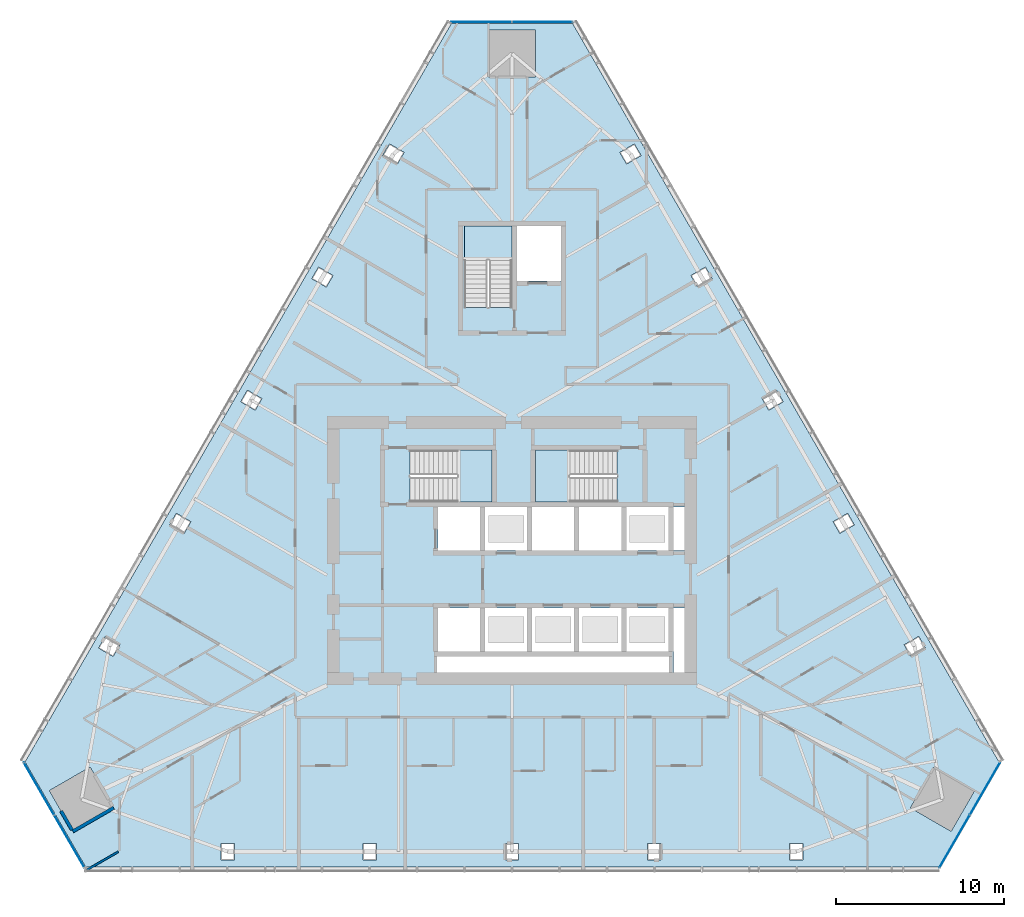
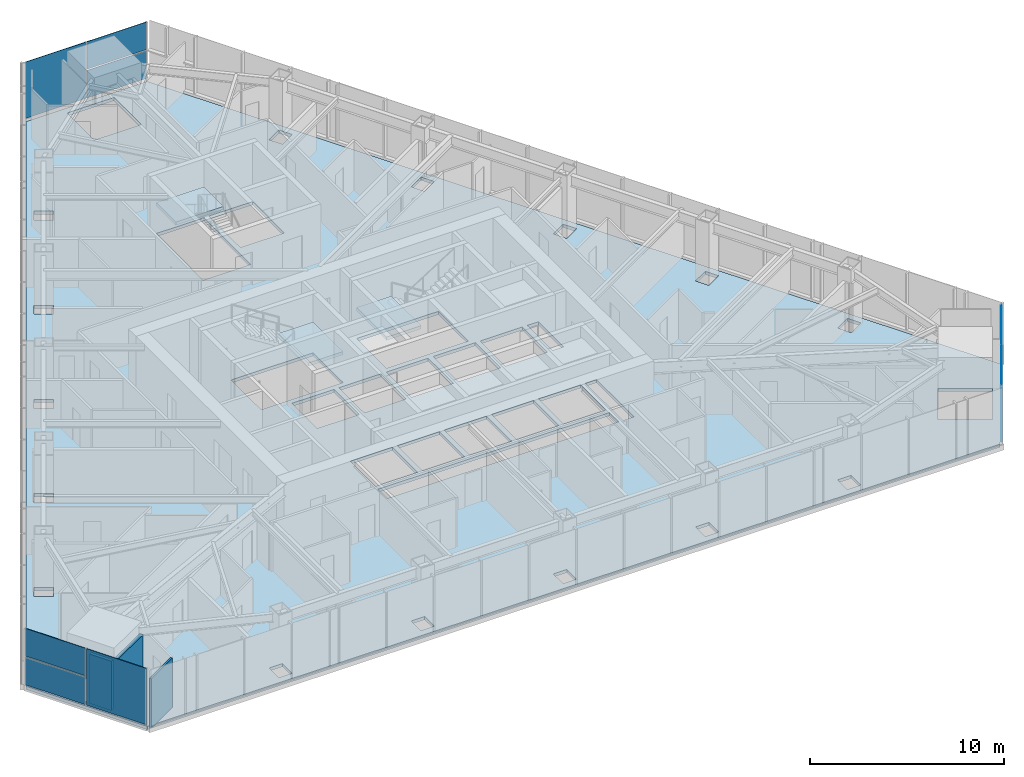
# One storey, part 12 of 20: 9 plates, 4 slabs, 3 walls, 6 elements without a shape of their own.
"""IFC4 building model written with IfcOpenShell, lengths in metres."""

from ifc_helpers import new_model, si_unit, direction, frame, frame_2d, origin, place, context, subcontext, project, spatial, polyline, rectangle, outline, extrude, material, layer, layer_set, type_object, element, aggregate, save


model = new_model("IFC4")

# Units and contexts
model_context = context("Model", 3, precision=1e-05, world=origin(), true_north=direction((0.0, 1.0)))
body_context = subcontext(model_context, "Body", "Model", "MODEL_VIEW")
ifc_project = project(units=[si_unit("LENGTHUNIT", "METRE"), si_unit("AREAUNIT", "SQUARE_METRE"), si_unit("VOLUMEUNIT", "CUBIC_METRE"), si_unit("PLANEANGLEUNIT", "RADIAN"), si_unit("MASSUNIT", "GRAM", prefix="KILO")], contexts=[model_context])

# Site, building, storey
site_placement = place(None, origin())
site = spatial("IfcSite", under=ifc_project, at=site_placement, CompositionType="ELEMENT")
building_placement = place(site_placement, origin())
building = spatial("IfcBuilding", under=site, at=building_placement, Name="Firuza Gate Tower and Library", CompositionType="ELEMENT")
storey_placement = place(building_placement, frame((0.0, 0.0, 214.300048828125)))
storey = spatial("IfcBuildingStorey", under=building, at=storey_placement, Name="L50", CompositionType="ELEMENT", Elevation=214.300048828125)

# Slab
ifc_material_1 = material(Name="Concrete C40/50", Category="concrete")
ifc_layer_1 = layer(ifc_material_1, 0.199951171875)
ifc_layer_set_1 = layer_set([ifc_layer_1], Name="Composite floor slab 200 C40/50")
slab_type_1 = type_object("IfcSlabType", Name="Composite floor slab 200 C40/50", PredefinedType="FLOOR", material=ifc_layer_set_1)
slab_1_placement = place(storey_placement, frame((0.0, 0.0, -0.199951171875)))
element("IfcSlab", 1, at=slab_1_placement, inside=storey, type_object=slab_type_1, Name="Floor slab L50", PredefinedType="FLOOR", context=body_context, shape_type="SweptSolid", body=[
    extrude(outline(polyline([(46.032958984375, 62.432861328125), (49.633056640625, 56.197509765625), (100.366943359375, 56.197509765625), (103.967041015625, 62.432861328125), (78.60009765625, 106.36962890625), (71.39990234375, 106.36962890625), (46.032958984375, 62.432861328125)]), holes=[polyline([(57.688720703125, 56.597412109375), (57.688720703125, 57.597412109375), (58.48876953125, 57.597412109375), (58.48876953125, 56.597412109375), (57.688720703125, 56.597412109375)]), polyline([(74.60009765625, 56.597412109375), (74.60009765625, 57.597412109375), (75.39990234375, 57.597412109375), (75.39990234375, 56.597412109375), (74.60009765625, 56.597412109375)]), polyline([(66.144287109375, 56.597412109375), (66.144287109375, 57.597412109375), (66.9443359375, 57.597412109375), (66.9443359375, 56.597412109375), (66.144287109375, 56.597412109375)]), polyline([(47.4794921875, 60.7275390625), (49.904296875, 62.127685546875), (51.30419921875, 59.70263671875), (48.87939453125, 58.302734375), (47.4794921875, 60.7275390625)]), polyline([(84.35009765625, 67.75), (70.550048828125, 67.75), (70.550048828125, 68.699951171875), (84.35009765625, 68.699951171875), (84.35009765625, 67.75)]), polyline([(50.80712890625, 69.902099609375), (51.67333984375, 69.402099609375), (51.273193359375, 68.709228515625), (50.4072265625, 69.209228515625), (50.80712890625, 69.902099609375)]), polyline([(73.10009765625, 69.0), (70.60009765625, 69.0), (70.60009765625, 71.60009765625), (73.10009765625, 71.60009765625), (73.10009765625, 69.0)]), polyline([(75.89990234375, 69.0), (73.39990234375, 69.0), (73.39990234375, 71.60009765625), (75.89990234375, 71.60009765625), (75.89990234375, 69.0)]), polyline([(73.10009765625, 75.0), (70.60009765625, 75.0), (70.60009765625, 77.60009765625), (73.10009765625, 77.60009765625), (73.10009765625, 75.0)]), polyline([(75.89990234375, 75.0), (73.39990234375, 75.0), (73.39990234375, 77.60009765625), (75.89990234375, 77.60009765625), (75.89990234375, 75.0)]), polyline([(55.03515625, 77.224853515625), (55.901123046875, 76.724853515625), (55.501220703125, 76.031982421875), (54.635009765625, 76.531982421875), (55.03515625, 77.224853515625)]), polyline([(73.81005859375, 77.89990234375), (68.9404296875, 77.89990234375), (68.9404296875, 80.97998046875), (73.81005859375, 80.97998046875), (73.81005859375, 77.89990234375)]), polyline([(59.262939453125, 84.547607421875), (60.12890625, 84.047607421875), (59.72900390625, 83.35498046875), (58.86279296875, 83.85498046875), (59.262939453125, 84.547607421875)]), polyline([(63.49072265625, 91.87060546875), (64.356689453125, 91.37060546875), (63.956787109375, 90.677734375), (63.0908203125, 91.177734375), (63.49072265625, 91.87060546875)]), polyline([(72.159912109375, 89.470458984375), (72.159912109375, 94.300048828125), (75.0, 94.300048828125), (75.0, 89.470458984375), (72.159912109375, 89.470458984375)]), polyline([(75.300048828125, 91.050048828125), (75.300048828125, 94.300048828125), (77.89990234375, 94.300048828125), (77.89990234375, 91.050048828125), (75.300048828125, 91.050048828125)]), polyline([(68.584716796875, 98.693359375), (68.1845703125, 98.00048828125), (67.318603515625, 98.50048828125), (67.718505859375, 99.193359375), (68.584716796875, 98.693359375)]), polyline([(76.39990234375, 105.9697265625), (76.39990234375, 103.169677734375), (73.60009765625, 103.169677734375), (73.60009765625, 105.9697265625), (76.39990234375, 105.9697265625)]), polyline([(91.51123046875, 56.597412109375), (91.51123046875, 57.597412109375), (92.311279296875, 57.597412109375), (92.311279296875, 56.597412109375), (91.51123046875, 56.597412109375)]), polyline([(83.0556640625, 56.597412109375), (83.0556640625, 57.597412109375), (83.855712890625, 57.597412109375), (83.855712890625, 56.597412109375), (83.0556640625, 56.597412109375)]), polyline([(101.12060546875, 58.302734375), (98.69580078125, 59.70263671875), (100.095703125, 62.127685546875), (102.5205078125, 60.7275390625), (101.12060546875, 58.302734375)]), polyline([(99.5927734375, 69.209228515625), (98.726806640625, 68.709228515625), (98.32666015625, 69.402099609375), (99.19287109375, 69.902099609375), (99.5927734375, 69.209228515625)]), polyline([(85.25, 67.75), (84.60009765625, 67.75), (84.60009765625, 71.60009765625), (85.25, 71.60009765625), (85.25, 67.75)]), polyline([(81.5, 69.0), (79.0, 69.0), (79.0, 71.60009765625), (81.5, 71.60009765625), (81.5, 69.0)]), polyline([(81.800048828125, 69.0), (81.800048828125, 71.60009765625), (84.300048828125, 71.60009765625), (84.300048828125, 69.0), (81.800048828125, 69.0)]), polyline([(76.199951171875, 69.0), (76.199951171875, 71.60009765625), (78.699951171875, 71.60009765625), (78.699951171875, 69.0), (76.199951171875, 69.0)]), polyline([(81.5, 75.0), (79.0, 75.0), (79.0, 77.60009765625), (81.5, 77.60009765625), (81.5, 75.0)]), polyline([(84.300048828125, 75.0), (81.800048828125, 75.0), (81.800048828125, 77.60009765625), (84.300048828125, 77.60009765625), (84.300048828125, 75.0)]), polyline([(85.25, 75.0), (84.60009765625, 75.0), (84.60009765625, 77.60009765625), (85.25, 77.60009765625), (85.25, 75.0)]), polyline([(78.699951171875, 75.0), (76.199951171875, 75.0), (76.199951171875, 77.60009765625), (78.699951171875, 77.60009765625), (78.699951171875, 75.0)]), polyline([(95.364990234375, 76.531982421875), (94.498779296875, 76.031982421875), (94.098876953125, 76.724853515625), (94.96484375, 77.224853515625), (95.364990234375, 76.531982421875)]), polyline([(81.259521484375, 77.89990234375), (76.389892578125, 77.89990234375), (76.389892578125, 80.97998046875), (81.259521484375, 80.97998046875), (81.259521484375, 77.89990234375)]), polyline([(91.13720703125, 83.85498046875), (90.27099609375, 83.35498046875), (89.87109375, 84.047607421875), (90.737060546875, 84.547607421875), (91.13720703125, 83.85498046875)]), polyline([(86.043212890625, 90.677734375), (85.643310546875, 91.37060546875), (86.50927734375, 91.87060546875), (86.9091796875, 91.177734375), (86.043212890625, 90.677734375)]), polyline([(81.8154296875, 98.00048828125), (81.415283203125, 98.693359375), (82.281494140625, 99.193359375), (82.681396484375, 98.50048828125), (81.8154296875, 98.00048828125)])]), origin(), (0.0, 0.0, 1.0), 0.199951171875),
])

# Curtain wall, plate
ifc_material_2 = material(Name="Aluminium 6063-T6", Category="aluminium")
ifc_layer_2 = layer(ifc_material_2, 0.14990234375)
ifc_layer_set_2 = layer_set([ifc_layer_2], Name="Corner curtain wall, chamfers")
curtain_wall_type = type_object("IfcCurtainWallType", Name="Corner curtain wall, chamfers", PredefinedType="NOTDEFINED", material=ifc_layer_set_2)
placement_1 = place(storey_placement, origin())
curtain_wall_1 = element("IfcCurtainWall", 2, at=placement_1, inside=storey, type_object=curtain_wall_type, Name="CW4 L50 SE corner", PredefinedType="NOTDEFINED")
ifc_material_3 = material(Name="Fritted glass", Category="glass")
ifc_layer_3 = layer(ifc_material_3, 0.030029296875)
ifc_layer_set_3 = layer_set([ifc_layer_3], Name="Fritted glass unit, corners")
plate_type_1 = type_object("IfcPlateType", Name="Fritted glass unit, corners", PredefinedType="CURTAIN_PANEL", material=ifc_layer_set_3)
plate_1_placement = place(storey_placement, frame((100.443359375, 56.149658203125, 0.14990234375), z_axis=(0.866046390552, -0.49996364809, 0.0), x_axis=(0.49996364809, 0.866046390552, 0.0)))
plate_1 = element("IfcPlate", 3, at=plate_1_placement, type_object=plate_type_1, Name="Glass unit", PredefinedType="CURTAIN_PANEL", context=body_context, shape_type="SweptSolid", body=[
    extrude(outline(polyline([(0.0, 0.0), (3.563247342942594, 0.0), (3.563247342942594, 1.735107421875), (0.0, 1.735107421875), (0.0, 0.0)])), origin(), (0.0, 0.0, -1.0), 0.030029296875),
])

curtain_wall_2 = element("IfcCurtainWall", 4, at=placement_1, inside=storey, type_object=curtain_wall_type, Name="CW4 L50 N corner", PredefinedType="NOTDEFINED")
plate_2_placement = place(storey_placement, frame((78.603271484375, 106.459716796875, 0.14990234375), z_axis=(0.0, 1.0, 0.0), x_axis=(-1.0, 0.0, 0.0)))
plate_2 = element("IfcPlate", 5, at=plate_2_placement, type_object=plate_type_1, Name="Glass unit", PredefinedType="CURTAIN_PANEL", context=body_context, shape_type="SweptSolid", body=[
    extrude(outline(polyline([(0.0, 0.0), (3.563232421875, 0.0), (3.563232421875, 1.735107421875), (0.0, 1.735107421875), (0.0, 0.0)])), origin(), (0.0, 0.0, -1.0), 0.030029296875),
])

curtain_wall_3 = element("IfcCurtainWall", 6, at=placement_1, inside=storey, type_object=curtain_wall_type, Name="CW4 L50 SW corner", PredefinedType="NOTDEFINED")
plate_3_placement = place(storey_placement, frame((45.953369140625, 62.390625, 0.14990234375), z_axis=(-0.866016723041, -0.500015035186, 0.0), x_axis=(0.500015035186, -0.866016723041, 0.0)))
plate_3 = element("IfcPlate", 7, at=plate_3_placement, type_object=plate_type_1, Name="Glass unit", PredefinedType="CURTAIN_PANEL", context=body_context, shape_type="SweptSolid", body=[
    extrude(outline(polyline([(0.0, 0.0), (3.5633694106530625, 0.0), (3.5633694106530625, 1.735107421875), (0.0, 1.735107421875), (0.0, 0.0)])), origin(), (0.0, 0.0, -1.0), 0.030029296875),
])

# Plate
ifc_material_4 = material(Name="Glazed ceramic tile")
ifc_layer_4 = layer(ifc_material_4, 0.030029296875)
ifc_layer_set_4 = layer_set([ifc_layer_4], Name="Opaque ceramic panel, corners")
plate_type_2 = type_object("IfcPlateType", Name="Opaque ceramic panel, corners", PredefinedType="CURTAIN_PANEL", material=ifc_layer_set_4)
plate_4_placement = place(storey_placement, frame((100.443359375, 56.149658203125, 1.96484375), z_axis=(0.866046390552, -0.49996364809, 0.0), x_axis=(0.49996364809, 0.866046390552, 0.0)))
plate_4 = element("IfcPlate", 8, at=plate_4_placement, type_object=plate_type_2, Name="Opaque ceramic panel", PredefinedType="CURTAIN_PANEL", context=body_context, shape_type="SweptSolid", body=[
    extrude(outline(polyline([(0.0, 0.0), (3.563247342942594, 0.0), (3.563247342942594, 1.735107421875), (0.0, 1.735107421875), (0.0, 0.0)])), origin(), (0.0, 0.0, -1.0), 0.030029296875),
])

plate_5_placement = place(storey_placement, frame((102.264892578125, 59.3046875, 0.14990234375), z_axis=(0.866016723041, -0.500015035186, 0.0), x_axis=(0.500015035186, 0.866016723041, 0.0)))
plate_5 = element("IfcPlate", 9, at=plate_5_placement, type_object=plate_type_2, Name="Opaque ceramic panel", PredefinedType="CURTAIN_PANEL", context=body_context, shape_type="SweptSolid", body=[
    extrude(outline(polyline([(0.0, 0.0), (3.5633694106530625, 0.0), (3.5633694106530625, 3.550048828125), (0.0, 3.550048828125), (0.0, 0.0)])), origin(), (0.0, 0.0, -1.0), 0.030029296875),
])

aggregate(curtain_wall_1, [plate_1, plate_4, plate_5])

plate_6_placement = place(storey_placement, frame((78.603271484375, 106.459716796875, 1.96484375), z_axis=(0.0, 1.0, 0.0), x_axis=(-1.0, 0.0, 0.0)))
plate_6 = element("IfcPlate", 10, at=plate_6_placement, type_object=plate_type_2, Name="Opaque ceramic panel", PredefinedType="CURTAIN_PANEL", context=body_context, shape_type="SweptSolid", body=[
    extrude(outline(polyline([(0.0, 0.0), (3.563232421875, 0.0), (3.563232421875, 1.735107421875), (0.0, 1.735107421875), (0.0, 0.0)])), origin(), (0.0, 0.0, -1.0), 0.030029296875),
])

plate_7_placement = place(storey_placement, frame((74.9599609375, 106.459716796875, 0.14990234375), z_axis=(0.0, 1.0, 0.0), x_axis=(-1.0, 0.0, 0.0)))
plate_7 = element("IfcPlate", 11, at=plate_7_placement, type_object=plate_type_2, Name="Opaque ceramic panel", PredefinedType="CURTAIN_PANEL", context=body_context, shape_type="SweptSolid", body=[
    extrude(outline(polyline([(0.0, 0.0), (3.563232421875, 0.0), (3.563232421875, 3.550048828125), (0.0, 3.550048828125), (0.0, 0.0)])), origin(), (0.0, 0.0, -1.0), 0.030029296875),
])

aggregate(curtain_wall_2, [plate_2, plate_6, plate_7])

plate_8_placement = place(storey_placement, frame((45.953369140625, 62.390625, 1.96484375), z_axis=(-0.866016723041, -0.500015035186, 0.0), x_axis=(0.500015035186, -0.866016723041, 0.0)))
plate_8 = element("IfcPlate", 12, at=plate_8_placement, type_object=plate_type_2, Name="Opaque ceramic panel", PredefinedType="CURTAIN_PANEL", context=body_context, shape_type="SweptSolid", body=[
    extrude(outline(polyline([(0.0, 0.0), (3.5633694106530625, 0.0), (3.5633694106530625, 1.735107421875), (0.0, 1.735107421875), (0.0, 0.0)])), origin(), (0.0, 0.0, -1.0), 0.030029296875),
])

plate_9_placement = place(storey_placement, frame((47.775146484375, 59.235595703125, 0.14990234375), z_axis=(-0.866046390552, -0.49996364809, 0.0), x_axis=(0.49996364809, -0.866046390552, 0.0)))
plate_9 = element("IfcPlate", 13, at=plate_9_placement, type_object=plate_type_2, Name="Opaque ceramic panel", PredefinedType="CURTAIN_PANEL", context=body_context, shape_type="SweptSolid", body=[
    extrude(outline(polyline([(0.0, 0.0), (3.563247342942594, 0.0), (3.563247342942594, 3.550048828125), (0.0, 3.550048828125), (0.0, 0.0)])), origin(), (0.0, 0.0, -1.0), 0.030029296875),
])

aggregate(curtain_wall_3, [plate_3, plate_8, plate_9])

# Stair, slab
ifc_material_5 = material(Name="Concrete C35/45", Category="concrete")
stair_type_1 = type_object("IfcStairType", Name="Exit stair ST7", PredefinedType="HALF_TURN_STAIR", material=ifc_material_5)
stair_1 = element("IfcStair", 14, at=placement_1, inside=storey, type_object=stair_type_1, Name="L50 Stair ST1", PredefinedType="HALF_TURN_STAIR")
ifc_material_6 = material(Name="Concrete C35/45", Category="concrete")
ifc_layer_5 = layer(ifc_material_6, 0.199951171875)
ifc_layer_set_5 = layer_set([ifc_layer_5], Name="Stair landing 200")
slab_type_2 = type_object("IfcSlabType", Name="Stair landing 200", PredefinedType="LANDING", material=ifc_layer_set_5)
placement_2 = place(storey_placement, frame((0.0, 0.0, 1.75)))
slab_2 = element("IfcSlab", 15, at=placement_2, type_object=slab_type_2, Name="ST1 landing 1", PredefinedType="LANDING", context=body_context, shape_type="SweptSolid", body=[
    extrude(outline(polyline([(71.739990234375, 77.89990234375), (73.81005859375, 77.89990234375), (73.81005859375, 80.97998046875), (71.739990234375, 80.97998046875), (71.739990234375, 77.89990234375)])), origin(), (0.0, 0.0, 1.0), 0.199951171875),
])
aggregate(stair_1, [slab_2])

stair_2 = element("IfcStair", 16, at=placement_1, inside=storey, type_object=stair_type_1, Name="L50 Stair ST2", PredefinedType="HALF_TURN_STAIR")
slab_3 = element("IfcSlab", 17, at=placement_2, type_object=slab_type_2, Name="ST2 landing 1", PredefinedType="LANDING", context=body_context, shape_type="SweptSolid", body=[
    extrude(outline(polyline([(78.4599609375, 80.97998046875), (76.389892578125, 80.97998046875), (76.389892578125, 77.89990234375), (78.4599609375, 77.89990234375), (78.4599609375, 80.97998046875)])), origin(), (0.0, 0.0, 1.0), 0.199951171875),
])
aggregate(stair_2, [slab_3])

ifc_material_7 = material(Name="Concrete C35/45", Category="concrete")
stair_type_2 = type_object("IfcStairType", Name="Exit stair ST16", PredefinedType="HALF_TURN_STAIR", material=ifc_material_7)
stair_3 = element("IfcStair", 18, at=placement_1, inside=storey, type_object=stair_type_2, Name="L50 Stair ST3", PredefinedType="HALF_TURN_STAIR")
slab_4 = element("IfcSlab", 19, at=placement_2, type_object=slab_type_2, Name="ST3 landing 1", PredefinedType="LANDING", context=body_context, shape_type="SweptSolid", body=[
    extrude(outline(polyline([(75.0, 92.27001953125), (75.0, 94.300048828125), (72.159912109375, 94.300048828125), (72.159912109375, 92.27001953125), (75.0, 92.27001953125)])), origin(), (0.0, 0.0, 1.0), 0.199951171875),
])
aggregate(stair_3, [slab_4])

# Walls
ifc_material_8 = material(Name="Gypsum board partition")
ifc_layer_6 = layer(ifc_material_8, 0.199951171875)
ifc_layer_set_6 = layer_set([ifc_layer_6], Name="Demising wall 200 acoustic double stud")
wall_type_1 = type_object("IfcWallType", Name="Demising wall 200 acoustic double stud", PredefinedType="PARTITIONING", material=ifc_layer_set_6)
wall_1_placement = place(storey_placement, frame((48.8798828125, 58.302978515625, 0.0), z_axis=(0.0, 0.0, 1.0), x_axis=(0.865985118016, 0.500069770506, 0.0)))
element("IfcWall", 20, at=wall_1_placement, inside=storey, type_object=wall_type_1, Name="f:L50:w028", PredefinedType="PARTITIONING", context=body_context, shape_type="SweptSolid", body=[
    extrude(rectangle(XDim=2.798828125, YDim=0.199951171875, at=frame_2d((1.3994140625, 0.0))), origin(), (0.0, 0.0, 1.0), 3.099853515625),
])
wall_2_placement = place(storey_placement, frame((48.8291015625, 58.3896484375, 0.0), z_axis=(0.0, 0.0, 1.0), x_axis=(-0.500080332001, 0.865979019114, 0.0)))
element("IfcWall", 21, at=wall_2_placement, inside=storey, type_object=wall_type_1, Name="f:L50:w093", PredefinedType="PARTITIONING", context=body_context, shape_type="SweptSolid", body=[
    extrude(rectangle(XDim=1.299072265625, YDim=0.199951171875, at=frame_2d((0.6494140625, 0.0))), origin(), (0.0, 0.0, 1.0), 3.099853515625),
])
ifc_material_9 = material(Name="Gypsum board partition")
ifc_layer_7 = layer(ifc_material_9, 0.1201171875)
ifc_layer_set_7 = layer_set([ifc_layer_7], Name="Wet-area partition 120 moisture-resistant board")
wall_type_2 = type_object("IfcWallType", Name="Wet-area partition 120 moisture-resistant board", PredefinedType="PARTITIONING", material=ifc_layer_set_7)
wall_3_placement = place(storey_placement, frame((49.70703125, 56.00927734375, 0.0), z_axis=(0.0, 0.0, 1.0), x_axis=(0.865990033018, 0.500061258962, 0.0)))
element("IfcWall", 22, at=wall_3_placement, inside=storey, type_object=wall_type_2, Name="f:L50:w025", PredefinedType="PARTITIONING", context=body_context, shape_type="SweptSolid", body=[
    extrude(rectangle(XDim=2.162353515625, YDim=0.1201171875, at=frame_2d((1.0810546875, 0.0))), origin(), (0.0, 0.0, 1.0), 3.099853515625),
])

save(model, "model.ifc")
